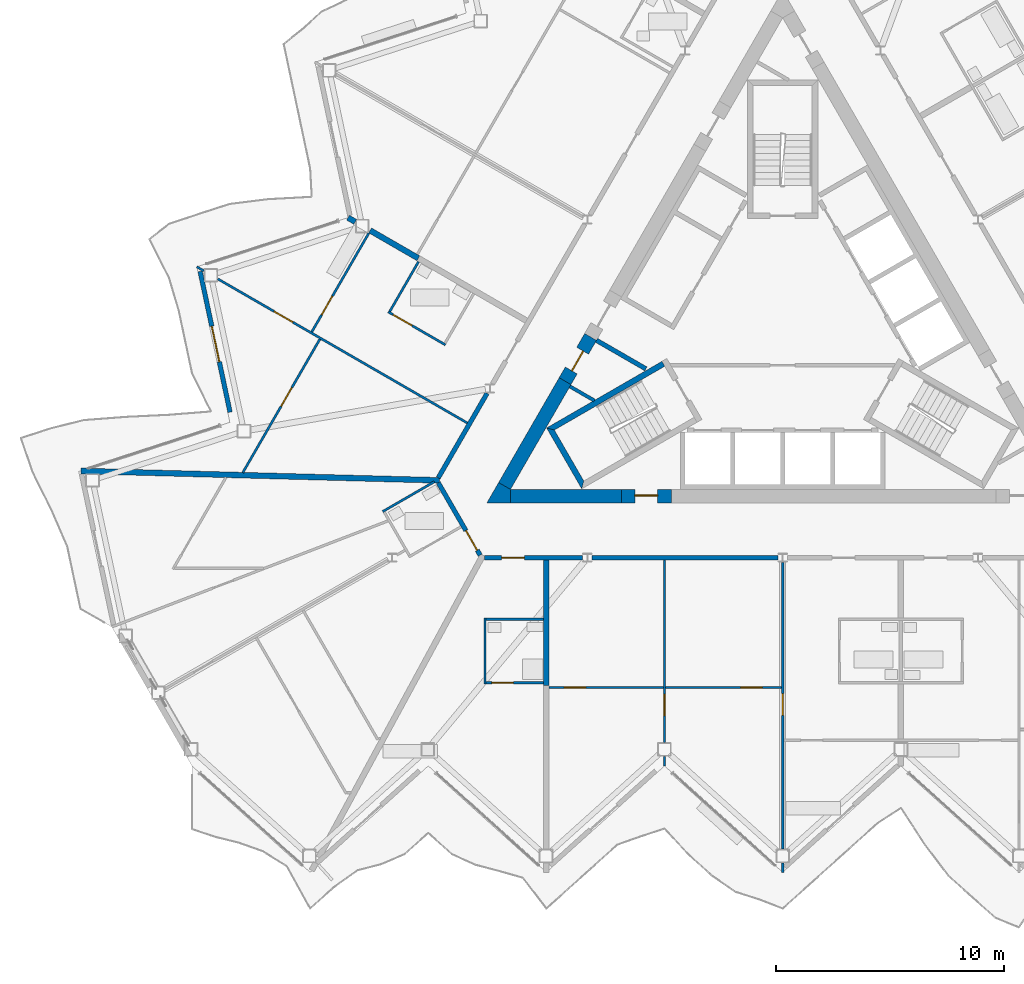
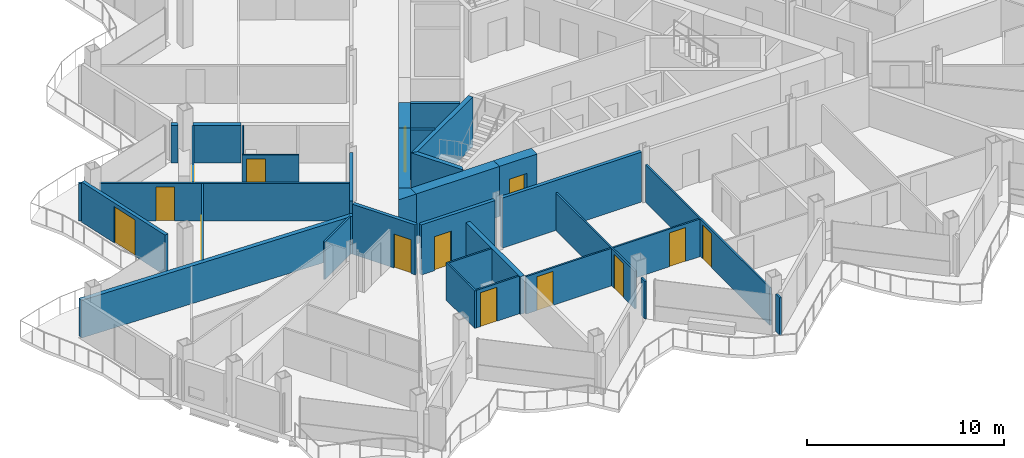
# One storey, part 14 of 28: 33 walls, 14 doors, 14 openings.
"""IFC4 building model written with IfcOpenShell, lengths in metres."""

import ifcopenshell
import ifcopenshell.guid

model = None  # the IFC model being written
_history = None  # IfcOwnerHistory: only IFC2X3 demands one
_inside = {}  # id of a spatial element -> (the spatial element, [elements in it])
_under = {}  # id of a project, library or spatial element -> (it, [spatial elements below it])
_declared = {}  # id of a project -> (the project, [libraries it declares])
_typed = {}  # id of a type object -> (the type object, [elements of that type])
_made_of = {}  # id of a material, layer set ... -> (it, [elements and type objects made of it])


def new_model(schema):
    """Start an empty IFC model of exactly this schema.

    Asked for "IFC4X3", IfcOpenShell would pick the latest addendum, in which some entities
    have other attributes; the version numbers below select the first issue.
    IFC2X3 requires an IfcOwnerHistory on every rooted entity: one is made here for all.
    """
    global model, _history
    if schema == "IFC4X3":
        model = ifcopenshell.file(schema_version=(4, 3, 0, 0))
    else:
        model = ifcopenshell.file(schema=schema)
    _inside.clear()
    _under.clear()
    _declared.clear()
    _typed.clear()
    _made_of.clear()
    _history = None
    if model.schema == "IFC2X3":
        org = make("IfcOrganization", Name="unknown")
        user = make(
            "IfcPersonAndOrganization",
            ThePerson=make("IfcPerson", FamilyName="unknown"),
            TheOrganization=org,
        )
        app = make(
            "IfcApplication",
            ApplicationDeveloper=org,
            Version="unknown",
            ApplicationFullName="unknown",
            ApplicationIdentifier="unknown",
        )
        _history = make(
            "IfcOwnerHistory",
            OwningUser=user,
            OwningApplication=app,
            ChangeAction="ADDED",
            CreationDate=0,
        )
    return model


def make(cls, **values):
    """One entity of the class cls with the attributes given. An attribute that is None is left unset."""
    return model.create_entity(
        cls, **{name: value for name, value in values.items() if value is not None}
    )


def rooted(cls, **values):
    """An entity with a GlobalId (a new one), such as an element, a storey or a relation."""
    return make(cls, GlobalId=ifcopenshell.guid.new(), OwnerHistory=_history, **values)


def si_unit(unit_type, name, prefix=None):
    """IfcSIUnit, for example si_unit("LENGTHUNIT", "METRE", prefix="MILLI")."""
    return make("IfcSIUnit", UnitType=unit_type, Prefix=prefix, Name=name)


def assignment(units):
    """IfcUnitAssignment: the units of a project."""
    return None if units is None else make("IfcUnitAssignment", Units=units)


def point(xyz):
    """IfcCartesianPoint."""
    return None if xyz is None else make("IfcCartesianPoint", Coordinates=xyz)


def direction(xyz):
    """IfcDirection."""
    return None if xyz is None else make("IfcDirection", DirectionRatios=xyz)


def frame(location, z_axis=None, x_axis=None):
    """IfcAxis2Placement3D, a coordinate frame: its origin and axes. An axis left out is left unset."""
    return make(
        "IfcAxis2Placement3D",
        Location=point(location),
        Axis=direction(z_axis),
        RefDirection=direction(x_axis),
    )


def frame_2d(location, x_axis=None):
    """IfcAxis2Placement2D, a coordinate frame in the plane: its origin and x axis."""
    return make(
        "IfcAxis2Placement2D", Location=point(location), RefDirection=direction(x_axis)
    )


def origin():
    """The frame at (0, 0, 0) with its axes left unset."""
    return frame((0.0, 0.0, 0.0))


def place(relative_to, where):
    """IfcLocalPlacement: puts the frame where relative to a parent placement (None: the world)."""
    return make(
        "IfcLocalPlacement", PlacementRelTo=relative_to, RelativePlacement=where
    )


def context(
    kind, dimensions, precision=None, world=None, true_north=None, identifier=None
):
    """IfcGeometricRepresentationContext, for example the 3D "Model" context."""
    return make(
        "IfcGeometricRepresentationContext",
        ContextIdentifier=identifier,
        ContextType=kind,
        CoordinateSpaceDimension=dimensions,
        Precision=precision,
        WorldCoordinateSystem=world,
        TrueNorth=true_north,
    )


def subcontext(parent, identifier, kind, view, scale=None):
    """IfcGeometricRepresentationSubContext, for example "Body" below "Model"."""
    return make(
        "IfcGeometricRepresentationSubContext",
        ContextIdentifier=identifier,
        ContextType=kind,
        ParentContext=parent,
        TargetScale=scale,
        TargetView=view,
    )


def project(units=None, contexts=None):
    """IfcProject with its units and contexts."""
    return rooted(
        "IfcProject",
        Name="project",
        RepresentationContexts=contexts,
        UnitsInContext=assignment(units),
    )


def spatial(cls, under=None, at=None, **own):
    """A site, building, storey or space (cls), placed at a placement, below another one or the project."""
    s = rooted(cls, ObjectPlacement=at, **own)
    if under is not None:
        _under.setdefault(under.id(), (under, []))[1].append(s)
    return s


def polyline(points):
    """IfcPolyline through the points."""
    return make("IfcPolyline", Points=[point(p) for p in points])


def profile(cls, at=None, kind="AREA", **sizes):
    """A parametric profile (cls). Its sizes go by their IFC names, for example OverallWidth=200.0."""
    return make(cls, ProfileType=kind, Position=at, **sizes)


def rectangle(**sizes):
    """IfcRectangleProfileDef."""
    return profile("IfcRectangleProfileDef", **sizes)


def outline(outer, holes=None, kind="AREA"):
    """IfcArbitraryClosedProfileDef: a profile drawn as a closed curve; with holes, ...WithVoids."""
    if holes is None:
        return make("IfcArbitraryClosedProfileDef", ProfileType=kind, OuterCurve=outer)
    return make(
        "IfcArbitraryProfileDefWithVoids",
        ProfileType=kind,
        OuterCurve=outer,
        InnerCurves=holes,
    )


def extrude(swept, where, along, depth):
    """IfcExtrudedAreaSolid: the profile swept, set in the frame where, extruded along a direction by depth."""
    return make(
        "IfcExtrudedAreaSolid",
        SweptArea=swept,
        Position=where,
        ExtrudedDirection=direction(along),
        Depth=depth,
    )


def shape(context_of_items, identifier, shape_type, items):
    """IfcShapeRepresentation: the items that make up one representation, for example the "Body"."""
    return make(
        "IfcShapeRepresentation",
        ContextOfItems=context_of_items,
        RepresentationIdentifier=identifier,
        RepresentationType=shape_type,
        Items=items,
    )


def material(Name=None, Category=None):
    """IfcMaterial."""
    return make("IfcMaterial", Name=Name, Category=Category)


def layer(
    of_material, thickness, ventilated=None, Name=None, Category=None, Priority=None
):
    """IfcMaterialLayer: one layer of a wall or slab, of a material (None: an air gap)."""
    return make(
        "IfcMaterialLayer",
        Material=of_material,
        LayerThickness=thickness,
        IsVentilated=ventilated,
        Name=Name,
        Category=Category,
        Priority=Priority,
    )


def layer_set(layers, Name=None):
    """IfcMaterialLayerSet."""
    return make("IfcMaterialLayerSet", MaterialLayers=layers, LayerSetName=Name)


def made_of(thing, what):
    """Note that an element or type object is made of a material, layer set ...; save() writes the relation."""
    if what is not None:
        _made_of.setdefault(what.id(), (what, []))[1].append(thing)
    return thing


def type_object(cls, material=None, **own):
    """A type object (cls), such as IfcWallType, which elements share."""
    return made_of(rooted(cls, **own), material)


def element(
    cls,
    number,
    at=None,
    inside=None,
    cuts=None,
    type_object=None,
    material=None,
    context=None,
    identifier="Body",
    shape_type=None,
    held_by="IfcProductDefinitionShape",
    body=None,
    shapes=None,
    **own,
):
    """One element of the class cls, such as IfcWall. Its Tag is "e" and its number.

    at: its placement. inside: the storey or other place that contains it. cuts: it is an
    opening in that element (IfcRelVoidsElement). A single representation is given by context,
    identifier, shape_type and body (its items); several are given by shapes. held_by: the class
    of the entity that holds the representations. save() writes the other relations.
    """
    e = rooted(cls, Tag="e%d" % number, ObjectPlacement=at, **own)
    if body is not None:
        shapes = [shape(context, identifier, shape_type, body)]
    if shapes is not None:
        e.Representation = make(held_by, Representations=shapes)
    if inside is not None:
        _inside.setdefault(inside.id(), (inside, []))[1].append(e)
    if cuts is not None:
        rooted(
            "IfcRelVoidsElement", RelatingBuildingElement=cuts, RelatedOpeningElement=e
        )
    if type_object is not None:
        _typed.setdefault(type_object.id(), (type_object, []))[1].append(e)
    return made_of(e, material)


def fill(opening, filler):
    """IfcRelFillsElement: the door or window that sits in an opening."""
    return rooted(
        "IfcRelFillsElement",
        RelatingOpeningElement=opening,
        RelatedBuildingElement=filler,
    )


def aggregate(whole, parts):
    """IfcRelAggregates: a whole, such as a stair, and the parts it consists of."""
    return rooted("IfcRelAggregates", RelatingObject=whole, RelatedObjects=parts)


def save(model, path):
    """Write the relations noted so far, then the file.

    IfcRelAggregates (storeys below a building ...), IfcRelContainedInSpatialStructure (elements
    in a storey), IfcRelDefinesByType, IfcRelAssociatesMaterial and IfcRelDeclares: one each for
    every whole, place, type object, material and project.
    """
    for whole, parts in _under.values():
        aggregate(whole, parts)
    for where, things in _inside.values():
        rooted(
            "IfcRelContainedInSpatialStructure",
            RelatedElements=things,
            RelatingStructure=where,
        )
    for kind, things in _typed.values():
        rooted("IfcRelDefinesByType", RelatedObjects=things, RelatingType=kind)
    for what, things in _made_of.values():
        rooted("IfcRelAssociatesMaterial", RelatedObjects=things, RelatingMaterial=what)
    for by, libraries in _declared.values():
        rooted("IfcRelDeclares", RelatingContext=by, RelatedDefinitions=libraries)
    model.write(path)


model = new_model("IFC4")

# Units and contexts
model_context = context("Model", 3, precision=1e-05, world=origin(), true_north=direction((0.0, 1.0)))
body_context = subcontext(model_context, "Body", "Model", "MODEL_VIEW")
ifc_project = project(units=[si_unit("LENGTHUNIT", "METRE"), si_unit("AREAUNIT", "SQUARE_METRE"), si_unit("VOLUMEUNIT", "CUBIC_METRE"), si_unit("PLANEANGLEUNIT", "RADIAN"), si_unit("MASSUNIT", "GRAM", prefix="KILO")], contexts=[model_context])

# Site, building, storey
site_placement = place(None, origin())
site = spatial("IfcSite", under=ifc_project, at=site_placement, CompositionType="ELEMENT")
building_placement = place(site_placement, origin())
building = spatial("IfcBuilding", under=site, at=building_placement, Name="Cormorant Prow Tower", CompositionType="ELEMENT")
storey_placement = place(building_placement, frame((0.0, 0.0, 305.199951171875)))
storey = spatial("IfcBuildingStorey", under=building, at=storey_placement, Name="L66", CompositionType="ELEMENT", Elevation=305.199951171875)

# Walls
ifc_material_1 = material(Name="Gypsum board partition")
ifc_layer_1 = layer(ifc_material_1, 0.14990234375)
ifc_layer_set_1 = layer_set([ifc_layer_1], Name="Gypsum board partition")
wall_type_1 = type_object("IfcWallType", Name="Core partition 150", PredefinedType="PARTITIONING", material=ifc_layer_set_1)
wall_1_placement = place(storey_placement, frame((-9.349609375, -2.3828125, 0.0), z_axis=(0.0, 0.0, 1.0), x_axis=(0.866057962423, -0.499943602543, 0.0)))
element("IfcWall", 1, at=wall_1_placement, inside=storey, type_object=wall_type_1, Name="Service room partition", PredefinedType="PARTITIONING", context=body_context, shape_type="SweptSolid", body=[
    extrude(rectangle(XDim=1.242431640625, YDim=0.14990234375, at=frame_2d((0.62109375, 0.0))), origin(), (0.0, 0.0, 1.0), 3.10009765625),
])
ifc_material_2 = material(Name="Concrete 8000 psi", Category="concrete")
ifc_layer_2 = layer(ifc_material_2, 0.60009765625)
ifc_layer_set_2 = layer_set([ifc_layer_2], Name="Concrete 8000 psi")
wall_type_2 = type_object("IfcWallType", Name="Core shear wall 600", PredefinedType="SHEAR", material=ifc_layer_set_2)
wall_2_placement = place(storey_placement, frame((-11.960693359375, -7.20556640625, 0.0), z_axis=(0.0, 0.0, 1.0), x_axis=(1.0, 0.0, 0.0)))
element("IfcWall", 2, at=wall_2_placement, inside=storey, type_object=wall_type_2, Name="Core wall", PredefinedType="SHEAR", context=body_context, shape_type="SweptSolid", body=[
    extrude(rectangle(XDim=4.868408203125, YDim=0.60009765625, at=frame_2d((2.43408203125, 0.0))), origin(), (0.0, 0.0, 1.0), 3.10009765625),
])
wall_3_placement = place(storey_placement, frame((-9.561767578125, -2.150390625, 0.0), z_axis=(0.0, 0.0, 1.0), x_axis=(-0.500015214976, -0.866016619236, 0.0)))
element("IfcWall", 3, at=wall_3_placement, inside=storey, type_object=wall_type_2, Name="Core wall", PredefinedType="SHEAR", context=body_context, shape_type="SweptSolid", body=[
    extrude(rectangle(XDim=5.317626953125, YDim=0.60009765625, at=frame_2d((2.65869140625, 0.0))), origin(), (0.0, 0.0, 1.0), 3.10009765625),
])
wall_4_placement = place(storey_placement, origin())
element("IfcWall", 4, at=wall_4_placement, inside=storey, type_object=wall_type_2, Name="Core wall corner", PredefinedType="SHEAR", context=body_context, shape_type="SweptSolid", body=[
    extrude(outline(polyline([(-12.48046875, -6.605712890625), (-11.960693359375, -6.905517578125), (-11.960693359375, -7.505615234375), (-13.0, -7.505615234375), (-12.48046875, -6.605712890625)])), origin(), (0.0, 0.0, 1.0), 3.10009765625),
])

# Wall, opening, door
wall_5_placement = place(storey_placement, frame((-7.09228515625, -7.20556640625, 0.0), z_axis=(0.0, 0.0, 1.0), x_axis=(1.0, 0.0, 0.0)))
wall_5 = element("IfcWall", 5, at=wall_5_placement, inside=storey, type_object=wall_type_2, Name="Core wall door panel", PredefinedType="SHEAR", context=body_context, shape_type="SweptSolid", body=[
    extrude(rectangle(XDim=2.2001953125, YDim=0.60009765625, at=frame_2d((1.10009765625, 0.0))), origin(), (0.0, 0.0, 1.0), 3.10009765625),
])
opening_1_placement = place(wall_5_placement, frame((0.60009765625, 0.0, 0.0)))
opening_1 = element("IfcOpeningElement", 6, at=opening_1_placement, cuts=wall_5, Name="Opening L66-C16", PredefinedType="OPENING", context=body_context, shape_type="SweptSolid", body=[
    extrude(rectangle(XDim=1.0, YDim=2.10009765625, at=frame_2d((0.5, 1.050048828125))), frame((0.0, 0.31005859375, 0.0), z_axis=(0.0, -1.0, 0.0), x_axis=(1.0, 0.0, 0.0)), (0.0, 0.0, 1.0), 0.6201171875),
])
ifc_material_3 = material(Name="Painted steel", Category="steel")
door_type_1 = type_object("IfcDoorType", Name="Service door 1000x2100", OperationType="NOTDEFINED", PredefinedType="DOOR", material=ifc_material_3)
door_1_placement = place(opening_1_placement, origin())
door_1 = element("IfcDoor", 7, at=door_1_placement, inside=storey, type_object=door_type_1, Name="Core door, Pantry store", OperationType="SINGLE_SWING_LEFT", OverallHeight=2.10009765625, OverallWidth=1.0, PredefinedType="DOOR", context=body_context, shape_type="SweptSolid", body=[
    extrude(rectangle(XDim=1.0, YDim=2.10009765625, at=frame_2d((0.5, 1.050048828125))), frame((0.0, 0.05517578125, 0.0), z_axis=(0.0, -1.0, 0.0), x_axis=(1.0, 0.0, 0.0)), (0.0, 0.0, 1.0), 0.050048828125),
])
fill(opening_1, door_1)

wall_6_placement = place(storey_placement, frame((-8.440185546875, -0.207763671875, 0.0), z_axis=(0.0, 0.0, 1.0), x_axis=(-0.500001951578, -0.866024277037, 0.0)))
wall_6 = element("IfcWall", 8, at=wall_6_placement, inside=storey, type_object=wall_type_2, Name="Core wall door panel", PredefinedType="SHEAR", context=body_context, shape_type="SweptSolid", body=[
    extrude(rectangle(XDim=2.2431640625, YDim=0.60009765625, at=frame_2d((1.12158203125, 0.0))), origin(), (0.0, 0.0, 1.0), 3.10009765625),
])
opening_2_placement = place(wall_6_placement, frame((0.699951171875, 0.0, 0.0)))
opening_2 = element("IfcOpeningElement", 9, at=opening_2_placement, cuts=wall_6, Name="Opening L66-C18", PredefinedType="OPENING", context=body_context, shape_type="SweptSolid", body=[
    extrude(rectangle(XDim=1.0, YDim=2.10009765625, at=frame_2d((0.5, 1.050048828125))), frame((0.0, 0.31005859375, 0.0), z_axis=(0.0, -1.0, 0.0), x_axis=(1.0, 0.0, 0.0)), (0.0, 0.0, 1.0), 0.6201171875),
])
door_2_placement = place(opening_2_placement, origin())
door_2 = element("IfcDoor", 10, at=door_2_placement, inside=storey, type_object=door_type_1, Name="Core door, Mechanical riser room", OperationType="SINGLE_SWING_LEFT", OverallHeight=2.10009765625, OverallWidth=1.0, PredefinedType="DOOR", context=body_context, shape_type="SweptSolid", body=[
    extrude(rectangle(XDim=1.0, YDim=2.10009765625, at=frame_2d((0.5, 1.050048828125))), frame((0.0, 0.05517578125, 0.0), z_axis=(0.0, -1.0, 0.0), x_axis=(1.0, 0.0, 0.0)), (0.0, 0.0, 1.0), 0.050048828125),
])
fill(opening_2, door_2)

# Wall
ifc_material_4 = material(Name="Gypsum board corridor wall")
ifc_layer_3 = layer(ifc_material_4, 0.199951171875)
ifc_layer_set_3 = layer_set([ifc_layer_3], Name="Gypsum board corridor wall")
wall_type_3 = type_object("IfcWallType", Name="Corridor wall 200", PredefinedType="PARTITIONING", material=ifc_layer_set_3)
wall_7_placement = place(storey_placement, frame((-8.370849609375, -9.905517578125, 0.0), z_axis=(0.0, 0.0, 1.0), x_axis=(1.0, 0.0, 0.0)))
element("IfcWall", 11, at=wall_7_placement, inside=storey, type_object=wall_type_3, Name="Corridor wall", PredefinedType="PARTITIONING", context=body_context, shape_type="SweptSolid", body=[
    extrude(rectangle(XDim=8.1630859375, YDim=0.199951171875, at=frame_2d((4.08154296875, 0.0))), origin(), (0.0, 0.0, 1.0), 3.10009765625),
])

# Wall, opening, door
wall_8_placement = place(storey_placement, frame((-13.10595703125, -9.905517578125, 0.0), z_axis=(0.0, 0.0, 1.0), x_axis=(1.0, 0.0, 0.0)))
wall_8 = element("IfcWall", 12, at=wall_8_placement, inside=storey, type_object=wall_type_3, Name="Corridor wall", PredefinedType="PARTITIONING", context=body_context, shape_type="SweptSolid", body=[
    extrude(rectangle(XDim=4.31982421875, YDim=0.199951171875, at=frame_2d((2.159912109375, 0.0))), origin(), (0.0, 0.0, 1.0), 3.10009765625),
])
opening_3_placement = place(wall_8_placement, frame((0.75341796875, 0.0, 0.0)))
opening_3 = element("IfcOpeningElement", 13, at=opening_3_placement, cuts=wall_8, Name="Opening L66-F01", PredefinedType="OPENING", context=body_context, shape_type="SweptSolid", body=[
    extrude(rectangle(XDim=1.0, YDim=2.10009765625, at=frame_2d((0.5, 1.050048828125))), frame((0.0, 0.10986328125, 0.0), z_axis=(0.0, -1.0, 0.0), x_axis=(1.0, 0.0, 0.0)), (0.0, 0.0, 1.0), 0.219970703125),
])
ifc_material_5 = material(Name="Timber door leaf", Category="wood")
door_type_2 = type_object("IfcDoorType", Name="Flat or room entrance door 1000x2100", OperationType="NOTDEFINED", PredefinedType="DOOR", material=ifc_material_5)
door_3_placement = place(opening_3_placement, origin())
door_3 = element("IfcDoor", 14, at=door_3_placement, inside=storey, type_object=door_type_2, Name="Studio living, kitchen and sleeping room door", OperationType="SINGLE_SWING_LEFT", OverallHeight=2.10009765625, OverallWidth=1.0, PredefinedType="DOOR", context=body_context, shape_type="SweptSolid", body=[
    extrude(rectangle(XDim=1.0, YDim=2.10009765625, at=frame_2d((0.5, 1.050048828125))), frame((0.0, 0.02490234375, 0.0), z_axis=(0.0, -1.0, 0.0), x_axis=(1.0, 0.0, 0.0)), (0.0, 0.0, 1.0), 0.050048828125),
])
fill(opening_3, door_3)

# Wall
wall_9_placement = place(storey_placement, frame((-15.13134765625, -6.397216796875, 0.0), z_axis=(0.0, 0.0, 1.0), x_axis=(0.500003406062, 0.866023437285, 0.0)))
element("IfcWall", 15, at=wall_9_placement, inside=storey, type_object=wall_type_3, Name="Corridor wall", PredefinedType="PARTITIONING", context=body_context, shape_type="SweptSolid", body=[
    extrude(rectangle(XDim=4.28759765625, YDim=0.199951171875, at=frame_2d((2.143798828125, 0.0))), origin(), (0.0, 0.0, 1.0), 3.10009765625),
])

# Wall, opening, door
wall_10_placement = place(storey_placement, frame((-15.13134765625, -6.61376953125, 0.0), z_axis=(0.0, 0.0, 1.0), x_axis=(0.499967746641, -0.866044024469, 0.0)))
wall_10 = element("IfcWall", 16, at=wall_10_placement, inside=storey, type_object=wall_type_3, Name="Corridor wall", PredefinedType="PARTITIONING", context=body_context, shape_type="SweptSolid", body=[
    extrude(rectangle(XDim=3.676025390625, YDim=0.199951171875, at=frame_2d((1.837890625, 0.0))), origin(), (0.0, 0.0, 1.0), 3.10009765625),
])
opening_4_placement = place(wall_10_placement, frame((2.426025390625, 0.0, 0.0)))
opening_4 = element("IfcOpeningElement", 17, at=opening_4_placement, cuts=wall_10, Name="Opening L66-F51", PredefinedType="OPENING", context=body_context, shape_type="SweptSolid", body=[
    extrude(rectangle(XDim=1.0, YDim=2.10009765625, at=frame_2d((0.5, 1.050048828125))), frame((0.0, 0.10986328125, 0.0), z_axis=(0.0, -1.0, 0.0), x_axis=(1.0, 0.0, 0.0)), (0.0, 0.0, 1.0), 0.219970703125),
])
door_4_placement = place(opening_4_placement, origin())
door_4 = element("IfcDoor", 18, at=door_4_placement, inside=storey, type_object=door_type_2, Name="Living room door", OperationType="SINGLE_SWING_RIGHT", OverallHeight=2.10009765625, OverallWidth=1.0, PredefinedType="DOOR", context=body_context, shape_type="SweptSolid", body=[
    extrude(rectangle(XDim=1.0, YDim=2.10009765625, at=frame_2d((0.5, 1.050048828125))), frame((0.0, 0.02490234375, 0.0), z_axis=(0.0, -1.0, 0.0), x_axis=(1.0, 0.0, 0.0)), (0.0, 0.0, 1.0), 0.050048828125),
])
fill(opening_4, door_4)

ifc_material_6 = material(Name="Gypsum board partition")
ifc_layer_4 = layer(ifc_material_6, 0.10009765625)
ifc_layer_set_4 = layer_set([ifc_layer_4], Name="Gypsum board partition")
wall_type_4 = type_object("IfcWallType", Name="Internal partition 100", PredefinedType="PARTITIONING", material=ifc_layer_set_4)
wall_11_placement = place(storey_placement, frame((-24.814697265625, 2.3388671875, 0.0), z_axis=(0.0, 0.0, 1.0), x_axis=(0.866021406514, -0.500006923412, 0.0)))
wall_11 = element("IfcWall", 19, at=wall_11_placement, inside=storey, type_object=wall_type_4, Name="Internal partition", PredefinedType="PARTITIONING", context=body_context, shape_type="SweptSolid", body=[
    extrude(rectangle(XDim=12.654052734375, YDim=0.10009765625, at=frame_2d((6.3271484375, 0.0))), origin(), (0.0, 0.0, 1.0), 2.330078125),
])
opening_5_placement = place(wall_11_placement, frame((2.850830078125, 0.0, 0.0)))
opening_5 = element("IfcOpeningElement", 20, at=opening_5_placement, cuts=wall_11, Name="Opening L66-F49", PredefinedType="OPENING", context=body_context, shape_type="SweptSolid", body=[
    extrude(rectangle(XDim=0.949951171875, YDim=2.10009765625, at=frame_2d((0.47509765625, 1.050048828125))), frame((0.0, 0.06005859375, 0.0), z_axis=(0.0, -1.0, 0.0), x_axis=(1.0, 0.0, 0.0)), (0.0, 0.0, 1.0), 0.1201171875),
])
ifc_material_7 = material(Name="Timber door leaf", Category="wood")
door_type_3 = type_object("IfcDoorType", Name="Bathroom door 950x2100", OperationType="NOTDEFINED", PredefinedType="DOOR", material=ifc_material_7)
door_5_placement = place(opening_5_placement, origin())
door_5 = element("IfcDoor", 21, at=door_5_placement, inside=storey, type_object=door_type_3, Name="Kitchen door", OperationType="SINGLE_SWING_RIGHT", OverallHeight=2.10009765625, OverallWidth=0.949951171875, PredefinedType="DOOR", context=body_context, shape_type="SweptSolid", body=[
    extrude(rectangle(XDim=0.949951171875, YDim=2.10009765625, at=frame_2d((0.47509765625, 1.050048828125))), frame((0.0, 0.02490234375, 0.0), z_axis=(0.0, -1.0, 0.0), x_axis=(1.0, 0.0, 0.0)), (0.0, 0.0, 1.0), 0.050048828125),
])
fill(opening_5, door_5)

wall_12_placement = place(storey_placement, frame((0.0, -22.697998046875, 0.0), z_axis=(0.0, 0.0, 1.0), x_axis=(0.0, 1.0, 0.0)))
wall_12 = element("IfcWall", 22, at=wall_12_placement, inside=storey, type_object=wall_type_4, Name="Internal partition", PredefinedType="PARTITIONING", context=body_context, shape_type="SweptSolid", body=[
    extrude(rectangle(XDim=12.584716796875, YDim=0.10009765625, at=frame_2d((6.29248046875, 0.0))), origin(), (0.0, 0.0, 1.0), 2.330078125),
])
opening_6_placement = place(wall_12_placement, frame((5.86767578125, 0.0, 0.0)))
opening_6 = element("IfcOpeningElement", 23, at=opening_6_placement, cuts=wall_12, Name="Opening L66-F06", PredefinedType="OPENING", context=body_context, shape_type="SweptSolid", body=[
    extrude(rectangle(XDim=0.949951171875, YDim=2.10009765625, at=frame_2d((0.47509765625, 1.050048828125))), frame((0.0, 0.06005859375, 0.0), z_axis=(0.0, -1.0, 0.0), x_axis=(1.0, 0.0, 0.0)), (0.0, 0.0, 1.0), 0.1201171875),
])
door_6_placement = place(opening_6_placement, origin())
door_6 = element("IfcDoor", 24, at=door_6_placement, inside=storey, type_object=door_type_3, Name="Living room door", OperationType="SINGLE_SWING_RIGHT", OverallHeight=2.10009765625, OverallWidth=0.949951171875, PredefinedType="DOOR", context=body_context, shape_type="SweptSolid", body=[
    extrude(rectangle(XDim=0.949951171875, YDim=2.10009765625, at=frame_2d((0.47509765625, 1.050048828125))), frame((0.0, 0.02490234375, 0.0), z_axis=(0.0, -1.0, 0.0), x_axis=(1.0, 0.0, 0.0)), (0.0, 0.0, 1.0), 0.050048828125),
])
fill(opening_6, door_6)

# Wall, openings, doors
wall_13_placement = place(storey_placement, frame((-10.2568359375, -15.612548828125, 0.0), z_axis=(0.0, 0.0, 1.0), x_axis=(1.0, 0.0, 0.0)))
wall_13 = element("IfcWall", 25, at=wall_13_placement, inside=storey, type_object=wall_type_4, Name="Internal partition", PredefinedType="PARTITIONING", context=body_context, shape_type="SweptSolid", body=[
    extrude(rectangle(XDim=10.206787109375, YDim=0.10009765625, at=frame_2d((5.103515625, 0.0))), origin(), (0.0, 0.0, 1.0), 2.330078125),
])
opening_7_placement = place(wall_13_placement, frame((8.403076171875, 0.0, 0.0)))
opening_7 = element("IfcOpeningElement", 26, at=opening_7_placement, cuts=wall_13, Name="Opening L66-F07", PredefinedType="OPENING", context=body_context, shape_type="SweptSolid", body=[
    extrude(rectangle(XDim=0.949951171875, YDim=2.10009765625, at=frame_2d((0.47509765625, 1.050048828125))), frame((0.0, 0.06005859375, 0.0), z_axis=(0.0, -1.0, 0.0), x_axis=(1.0, 0.0, 0.0)), (0.0, 0.0, 1.0), 0.1201171875),
])
opening_8_placement = place(wall_13_placement, frame((0.652587890625, 0.0, 0.0)))
opening_8 = element("IfcOpeningElement", 27, at=opening_8_placement, cuts=wall_13, Name="Opening L66-F09", PredefinedType="OPENING", context=body_context, shape_type="SweptSolid", body=[
    extrude(rectangle(XDim=0.949951171875, YDim=2.10009765625, at=frame_2d((0.47509765625, 1.050048828125))), frame((0.0, 0.06005859375, 0.0), z_axis=(0.0, -1.0, 0.0), x_axis=(1.0, 0.0, 0.0)), (0.0, 0.0, 1.0), 0.1201171875),
])
door_7_placement = place(opening_7_placement, origin())
door_7 = element("IfcDoor", 28, at=door_7_placement, inside=storey, type_object=door_type_3, Name="Bedroom door", OperationType="SINGLE_SWING_RIGHT", OverallHeight=2.10009765625, OverallWidth=0.949951171875, PredefinedType="DOOR", context=body_context, shape_type="SweptSolid", body=[
    extrude(rectangle(XDim=0.949951171875, YDim=2.10009765625, at=frame_2d((0.47509765625, 1.050048828125))), frame((0.0, 0.02490234375, 0.0), z_axis=(0.0, -1.0, 0.0), x_axis=(1.0, 0.0, 0.0)), (0.0, 0.0, 1.0), 0.050048828125),
])
fill(opening_7, door_7)
door_8_placement = place(opening_8_placement, origin())
door_8 = element("IfcDoor", 29, at=door_8_placement, inside=storey, type_object=door_type_3, Name="Bedroom door", OperationType="SINGLE_SWING_LEFT", OverallHeight=2.10009765625, OverallWidth=0.949951171875, PredefinedType="DOOR", context=body_context, shape_type="SweptSolid", body=[
    extrude(rectangle(XDim=0.949951171875, YDim=2.10009765625, at=frame_2d((0.47509765625, 1.050048828125))), frame((0.0, 0.02490234375, 0.0), z_axis=(0.0, -1.0, 0.0), x_axis=(1.0, 0.0, 0.0)), (0.0, 0.0, 1.0), 0.050048828125),
])
fill(opening_8, door_8)

# Wall, opening, door
wall_14_placement = place(storey_placement, frame((-5.19091796875, -18.016845703125, 0.0), z_axis=(0.0, 0.0, 1.0), x_axis=(0.0, 1.0, 0.0)))
wall_14 = element("IfcWall", 30, at=wall_14_placement, inside=storey, type_object=wall_type_4, Name="Internal partition", PredefinedType="PARTITIONING", context=body_context, shape_type="SweptSolid", body=[
    extrude(rectangle(XDim=8.01123046875, YDim=0.10009765625, at=frame_2d((4.005615234375, 0.0))), origin(), (0.0, 0.0, 1.0), 2.330078125),
])
opening_9_placement = place(wall_14_placement, frame((1.158447265625, 0.0, 0.0)))
opening_9 = element("IfcOpeningElement", 31, at=opening_9_placement, cuts=wall_14, Name="Opening L66-F08", PredefinedType="OPENING", context=body_context, shape_type="SweptSolid", body=[
    extrude(rectangle(XDim=0.949951171875, YDim=2.10009765625, at=frame_2d((0.47509765625, 1.050048828125))), frame((0.0, 0.06005859375, 0.0), z_axis=(0.0, -1.0, 0.0), x_axis=(1.0, 0.0, 0.0)), (0.0, 0.0, 1.0), 0.1201171875),
])
door_9_placement = place(opening_9_placement, origin())
door_9 = element("IfcDoor", 32, at=door_9_placement, inside=storey, type_object=door_type_3, Name="Bedroom door", OperationType="SINGLE_SWING_RIGHT", OverallHeight=2.10009765625, OverallWidth=0.949951171875, PredefinedType="DOOR", context=body_context, shape_type="SweptSolid", body=[
    extrude(rectangle(XDim=0.949951171875, YDim=2.10009765625, at=frame_2d((0.47509765625, 1.050048828125))), frame((0.0, 0.02490234375, 0.0), z_axis=(0.0, -1.0, 0.0), x_axis=(1.0, 0.0, 0.0)), (0.0, 0.0, 1.0), 0.050048828125),
])
fill(opening_9, door_9)

wall_15_placement = place(storey_placement, frame((-23.721923828125, -6.17236328125, 0.0), z_axis=(0.0, 0.0, 1.0), x_axis=(0.499991774685, 0.86603015262, 0.0)))
wall_15 = element("IfcWall", 33, at=wall_15_placement, inside=storey, type_object=wall_type_4, Name="Internal partition", PredefinedType="PARTITIONING", context=body_context, shape_type="SweptSolid", body=[
    extrude(rectangle(XDim=6.7744140625, YDim=0.10009765625, at=frame_2d((3.38720703125, 0.0))), origin(), (0.0, 0.0, 1.0), 2.330078125),
])
opening_10_placement = place(wall_15_placement, frame((3.3642578125, 0.0, 0.0)))
opening_10 = element("IfcOpeningElement", 34, at=opening_10_placement, cuts=wall_15, Name="Opening L66-F50", PredefinedType="OPENING", context=body_context, shape_type="SweptSolid", body=[
    extrude(rectangle(XDim=0.949951171875, YDim=2.10009765625, at=frame_2d((0.47509765625, 1.050048828125))), frame((0.0, 0.06005859375, 0.0), z_axis=(0.0, -1.0, 0.0), x_axis=(1.0, 0.0, 0.0)), (0.0, 0.0, 1.0), 0.1201171875),
])
door_10_placement = place(opening_10_placement, origin())
door_10 = element("IfcDoor", 35, at=door_10_placement, inside=storey, type_object=door_type_3, Name="Bedroom door", OperationType="SINGLE_SWING_RIGHT", OverallHeight=2.10009765625, OverallWidth=0.949951171875, PredefinedType="DOOR", context=body_context, shape_type="SweptSolid", body=[
    extrude(rectangle(XDim=0.949951171875, YDim=2.10009765625, at=frame_2d((0.47509765625, 1.050048828125))), frame((0.0, 0.02490234375, 0.0), z_axis=(0.0, -1.0, 0.0), x_axis=(1.0, 0.0, 0.0)), (0.0, 0.0, 1.0), 0.050048828125),
])
fill(opening_10, door_10)

wall_16_placement = place(storey_placement, frame((-20.68896484375, 0.014404296875, 0.0), z_axis=(0.0, 0.0, 1.0), x_axis=(0.500003822013, 0.866023197133, 0.0)))
wall_16 = element("IfcWall", 36, at=wall_16_placement, inside=storey, type_object=wall_type_4, Name="Internal partition", PredefinedType="PARTITIONING", context=body_context, shape_type="SweptSolid", body=[
    extrude(rectangle(XDim=5.00732421875, YDim=0.10009765625, at=frame_2d((2.503662109375, 0.0))), origin(), (0.0, 0.0, 1.0), 2.330078125),
])
opening_11_placement = place(wall_16_placement, frame((0.85986328125, 0.0, 0.0)))
opening_11 = element("IfcOpeningElement", 37, at=opening_11_placement, cuts=wall_16, Name="Opening L66-F48", PredefinedType="OPENING", context=body_context, shape_type="SweptSolid", body=[
    extrude(rectangle(XDim=0.949951171875, YDim=2.10009765625, at=frame_2d((0.47509765625, 1.050048828125))), frame((0.0, 0.06005859375, 0.0), z_axis=(0.0, -1.0, 0.0), x_axis=(1.0, 0.0, 0.0)), (0.0, 0.0, 1.0), 0.1201171875),
])
door_11_placement = place(opening_11_placement, origin())
door_11 = element("IfcDoor", 38, at=door_11_placement, inside=storey, type_object=door_type_3, Name="Living room door", OperationType="SINGLE_SWING_LEFT", OverallHeight=2.10009765625, OverallWidth=0.949951171875, PredefinedType="DOOR", context=body_context, shape_type="SweptSolid", body=[
    extrude(rectangle(XDim=0.949951171875, YDim=2.10009765625, at=frame_2d((0.47509765625, 1.050048828125))), frame((0.0, 0.02490234375, 0.0), z_axis=(0.0, -1.0, 0.0), x_axis=(1.0, 0.0, 0.0)), (0.0, 0.0, 1.0), 0.050048828125),
])
fill(opening_11, door_11)

wall_17_placement = place(storey_placement, frame((-17.330322265625, 0.89404296875, 0.0), z_axis=(0.0, 0.0, 1.0), x_axis=(0.866032775405, -0.499987231761, 0.0)))
wall_17 = element("IfcWall", 39, at=wall_17_placement, inside=storey, type_object=wall_type_4, Name="Internal partition", PredefinedType="PARTITIONING", context=body_context, shape_type="SweptSolid", body=[
    extrude(rectangle(XDim=2.89990234375, YDim=0.10009765625, at=frame_2d((1.449951171875, 0.0))), origin(), (0.0, 0.0, 1.0), 2.330078125),
])
opening_12_placement = place(wall_17_placement, frame((0.25, 0.0, 0.0)))
opening_12 = element("IfcOpeningElement", 40, at=opening_12_placement, cuts=wall_17, Name="Opening L66-F47", PredefinedType="OPENING", context=body_context, shape_type="SweptSolid", body=[
    extrude(rectangle(XDim=0.949951171875, YDim=2.10009765625, at=frame_2d((0.47509765625, 1.050048828125))), frame((0.0, 0.06005859375, 0.0), z_axis=(0.0, -1.0, 0.0), x_axis=(1.0, 0.0, 0.0)), (0.0, 0.0, 1.0), 0.1201171875),
])
door_12_placement = place(opening_12_placement, origin())
door_12 = element("IfcDoor", 41, at=door_12_placement, inside=storey, type_object=door_type_3, Name="Living room door", OperationType="SINGLE_SWING_LEFT", OverallHeight=2.10009765625, OverallWidth=0.949951171875, PredefinedType="DOOR", context=body_context, shape_type="SweptSolid", body=[
    extrude(rectangle(XDim=0.949951171875, YDim=2.10009765625, at=frame_2d((0.47509765625, 1.050048828125))), frame((0.0, 0.02490234375, 0.0), z_axis=(0.0, -1.0, 0.0), x_axis=(1.0, 0.0, 0.0)), (0.0, 0.0, 1.0), 0.050048828125),
])
fill(opening_12, door_12)

# Walls
wall_18_placement = place(storey_placement, frame((-13.081787109375, -15.45556640625, 0.0), z_axis=(0.0, 0.0, 1.0), x_axis=(0.0, 1.0, 0.0)))
element("IfcWall", 42, at=wall_18_placement, inside=storey, type_object=wall_type_4, Name="Internal partition", PredefinedType="PARTITIONING", context=body_context, shape_type="SweptSolid", body=[
    extrude(rectangle(XDim=2.89990234375, YDim=0.10009765625, at=frame_2d((1.449951171875, 0.0))), origin(), (0.0, 0.0, 1.0), 2.330078125),
])
for number, where, z_axis, x_axis, name in (
    (43, (-17.26220703125, 0.912353515625, 0.0), (0.0, 0.0, 1.0), (0.500048846702, 0.865997200291, 0.0), "Internal partition"),
    (44, (-13.031982421875, -12.605712890625, 0.0), (0.0, 0.0, 1.0), (1.0, 0.0, 0.0), "Internal partition"),
):
    element("IfcWall", number, at=place(storey_placement, frame(where, z_axis=z_axis, x_axis=x_axis)), inside=storey, type_object=wall_type_4, Name=name, PredefinedType="PARTITIONING", context=body_context, shape_type="SweptSolid", body=[
        extrude(rectangle(XDim=2.525146484375, YDim=0.10009765625, at=frame_2d((1.2626953125, 0.0))), origin(), (0.0, 0.0, 1.0), 2.330078125),
    ])

# Wall, opening, door
wall_19_placement = place(storey_placement, frame((-13.031982421875, -15.405517578125, 0.0), z_axis=(0.0, 0.0, 1.0), x_axis=(1.0, 0.0, 0.0)))
wall_19 = element("IfcWall", 45, at=wall_19_placement, inside=storey, type_object=wall_type_4, Name="Internal partition", PredefinedType="PARTITIONING", context=body_context, shape_type="SweptSolid", body=[
    extrude(rectangle(XDim=2.525146484375, YDim=0.10009765625, at=frame_2d((1.2626953125, 0.0))), origin(), (0.0, 0.0, 1.0), 2.330078125),
])
opening_13_placement = place(wall_19_placement, frame((0.25, 0.0, 0.0)))
opening_13 = element("IfcOpeningElement", 46, at=opening_13_placement, cuts=wall_19, Name="Opening L66-F02", PredefinedType="OPENING", context=body_context, shape_type="SweptSolid", body=[
    extrude(rectangle(XDim=0.949951171875, YDim=2.10009765625, at=frame_2d((0.47509765625, 1.050048828125))), frame((0.0, 0.06005859375, 0.0), z_axis=(0.0, -1.0, 0.0), x_axis=(1.0, 0.0, 0.0)), (0.0, 0.0, 1.0), 0.1201171875),
])
door_13_placement = place(opening_13_placement, origin())
door_13 = element("IfcDoor", 47, at=door_13_placement, inside=storey, type_object=door_type_3, Name="Studio living, kitchen and sleeping room door", OperationType="SINGLE_SWING_LEFT", OverallHeight=2.10009765625, OverallWidth=0.949951171875, PredefinedType="DOOR", context=body_context, shape_type="SweptSolid", body=[
    extrude(rectangle(XDim=0.949951171875, YDim=2.10009765625, at=frame_2d((0.47509765625, 1.050048828125))), frame((0.0, 0.02490234375, 0.0), z_axis=(0.0, -1.0, 0.0), x_axis=(1.0, 0.0, 0.0)), (0.0, 0.0, 1.0), 0.050048828125),
])
fill(opening_13, door_13)

# Walls
wall_20_placement = place(storey_placement, frame((-17.575439453125, -7.880615234375, 0.0), z_axis=(0.0, 0.0, 1.0), x_axis=(0.866013657776, 0.500020344131, 0.0)))
element("IfcWall", 48, at=wall_20_placement, inside=storey, type_object=wall_type_4, Name="Internal partition", PredefinedType="PARTITIONING", context=body_context, shape_type="SweptSolid", body=[
    extrude(rectangle(XDim=2.625, YDim=0.10009765625, at=frame_2d((1.3125, 0.0))), origin(), (0.0, 0.0, 1.0), 2.330078125),
])
wall_21_placement = place(storey_placement, frame((-5.19091796875, -19.054931640625, 0.0), z_axis=(0.0, 0.0, 1.0), x_axis=(0.0, 1.0, 0.0)))
element("IfcWall", 49, at=wall_21_placement, inside=storey, type_object=wall_type_4, Name="Internal partition", PredefinedType="PARTITIONING", context=body_context, shape_type="SweptSolid", body=[
    extrude(rectangle(XDim=0.418212890625, YDim=0.10009765625, at=frame_2d((0.208984375, 0.0))), origin(), (0.0, 0.0, 1.0), 2.330078125),
])
wall_22_placement = place(storey_placement, frame((0.0, -23.72900390625, 0.0), z_axis=(0.0, 0.0, 1.0), x_axis=(0.0, 1.0, 0.0)))
element("IfcWall", 50, at=wall_22_placement, inside=storey, type_object=wall_type_4, Name="Internal partition", PredefinedType="PARTITIONING", context=body_context, shape_type="SweptSolid", body=[
    extrude(rectangle(XDim=0.410888671875, YDim=0.10009765625, at=frame_2d((0.20556640625, 0.0))), origin(), (0.0, 0.0, 1.0), 2.330078125),
])
wall_23_placement = place(storey_placement, frame((-25.74072265625, 2.87353515625, 0.0), z_axis=(0.0, 0.0, 1.0), x_axis=(0.865851769275, -0.500300623268, 0.0)))
element("IfcWall", 51, at=wall_23_placement, inside=storey, type_object=wall_type_4, Name="Internal partition", PredefinedType="PARTITIONING", context=body_context, shape_type="SweptSolid", body=[
    extrude(rectangle(XDim=0.353271484375, YDim=0.10009765625, at=frame_2d((0.1767578125, 0.0))), origin(), (0.0, 0.0, 1.0), 2.330078125),
])
ifc_material_8 = material(Name="Concrete 8000 psi", Category="concrete")
ifc_layer_5 = layer(ifc_material_8, 0.199951171875)
ifc_layer_set_5 = layer_set([ifc_layer_5], Name="Concrete 8000 psi")
wall_type_5 = type_object("IfcWallType", Name="Lift shaft wall 200", PredefinedType="SHEAR", material=ifc_layer_set_5)
wall_24_placement = place(storey_placement, origin())
element("IfcWall", 52, at=wall_24_placement, inside=storey, type_object=wall_type_5, Name="Lift shaft walls, WNW block", PredefinedType="SHEAR", context=body_context, shape_type="SweptSolid", body=[
    extrude(outline(polyline([(-6.060546875, -1.697021484375), (-8.230712890625, -0.444091796875), (-8.130859375, -0.27099609375), (-5.96044921875, -1.52392578125), (-6.060546875, -1.697021484375)])), origin(), (0.0, 0.0, 1.0), 3.10009765625),
])
ifc_material_9 = material(Name="Concrete 8000 psi", Category="concrete")
ifc_layer_6 = layer(ifc_material_9, 0.25)
ifc_layer_set_6 = layer_set([ifc_layer_6], Name="Concrete 8000 psi")
wall_type_6 = type_object("IfcWallType", Name="Stair wall 250", PredefinedType="SHEAR", material=ifc_layer_set_6)
wall_25_placement = place(storey_placement, origin())
element("IfcWall", 53, at=wall_25_placement, inside=storey, type_object=wall_type_6, Name="Stair ST1 enclosure wall (flank)", PredefinedType="SHEAR", context=body_context, shape_type="SweptSolid", body=[
    extrude(outline(polyline([(-5.30712890625, -1.28125), (-10.37353515625, -4.206298828125), (-10.031982421875, -4.2978515625), (-5.18212890625, -1.497802734375), (-5.30712890625, -1.28125)])), origin(), (0.0, 0.0, 1.0), 3.10009765625),
])
wall_26_placement = place(storey_placement, origin())
element("IfcWall", 54, at=wall_26_placement, inside=storey, type_object=wall_type_6, Name="Stair ST1 enclosure wall (end)", PredefinedType="SHEAR", context=body_context, shape_type="SweptSolid", body=[
    extrude(outline(polyline([(-10.37353515625, -4.206298828125), (-8.82958984375, -6.880615234375), (-8.738037109375, -6.5390625), (-10.031982421875, -4.2978515625), (-10.37353515625, -4.206298828125)])), origin(), (0.0, 0.0, 1.0), 3.10009765625),
])
ifc_material_10 = material(Name="Acoustic gypsum party wall")
ifc_layer_7 = layer(ifc_material_10, 0.25)
ifc_layer_set_7 = layer_set([ifc_layer_7], Name="Acoustic gypsum party wall")
wall_type_7 = type_object("IfcWallType", Name="Suite party wall 250", PredefinedType="PARTITIONING", material=ifc_layer_set_7)
wall_27_placement = place(storey_placement, frame((-30.826904296875, -6.096435546875, 0.0), z_axis=(0.0, 0.0, 1.0), x_axis=(0.999657799118, -0.026158835273, 0.0)))
element("IfcWall", 55, at=wall_27_placement, inside=storey, type_object=wall_type_7, Name="Suite party wall", PredefinedType="PARTITIONING", context=body_context, shape_type="SweptSolid", body=[
    extrude(rectangle(XDim=15.763427734375, YDim=0.25, at=frame_2d((7.8818359375, 0.0))), origin(), (0.0, 0.0, 1.0), 2.330078125),
])
wall_28_placement = place(storey_placement, frame((-10.3818359375, -15.530517578125, 0.0), z_axis=(0.0, 0.0, 1.0), x_axis=(0.0, 1.0, 0.0)))
element("IfcWall", 56, at=wall_28_placement, inside=storey, type_object=wall_type_7, Name="Suite party wall", PredefinedType="PARTITIONING", context=body_context, shape_type="SweptSolid", body=[
    extrude(rectangle(XDim=5.52490234375, YDim=0.25, at=frame_2d((2.762451171875, 0.0))), origin(), (0.0, 0.0, 1.0), 2.330078125),
])
wall_29_placement = place(storey_placement, frame((-18.127197265625, 4.4716796875, 0.0), z_axis=(0.0, 0.0, 1.0), x_axis=(0.866017755388, -0.500013247177, 0.0)))
element("IfcWall", 57, at=wall_29_placement, inside=storey, type_object=wall_type_7, Name="Suite party wall", PredefinedType="PARTITIONING", context=body_context, shape_type="SweptSolid", body=[
    extrude(rectangle(XDim=2.44677734375, YDim=0.25, at=frame_2d((1.223388671875, 0.0))), origin(), (0.0, 0.0, 1.0), 2.330078125),
])
wall_30_placement = place(storey_placement, frame((-19.097412109375, 5.031982421875, 0.0), z_axis=(0.0, 0.0, 1.0), x_axis=(0.86609656662, -0.499876722092, 0.0)))
element("IfcWall", 58, at=wall_30_placement, inside=storey, type_object=wall_type_7, Name="Suite party wall", PredefinedType="PARTITIONING", context=body_context, shape_type="SweptSolid", body=[
    extrude(rectangle(XDim=0.365234375, YDim=0.25, at=frame_2d((0.1826171875, 0.0))), origin(), (0.0, 0.0, 1.0), 2.330078125),
])

# Wall, opening, door
ifc_material_11 = material(Name="Terracotta", Category="masonry")
ifc_layer_8 = layer(ifc_material_11, 0.199951171875)
ifc_layer_set_8 = layer_set([ifc_layer_8], Name="Terracotta")
wall_type_8 = type_object("IfcWallType", Name="Terracotta jamb wall 200", PredefinedType="SOLIDWALL", material=ifc_layer_set_8)
wall_31_placement = place(storey_placement, frame((-25.59521484375, 2.669921875, 0.0), z_axis=(0.0, 0.0, 1.0), x_axis=(0.207888316408, -0.978152568826, 0.0)))
wall_31 = element("IfcWall", 59, at=wall_31_placement, inside=storey, type_object=wall_type_8, Name="Terracotta jamb wall WNW07", PredefinedType="SOLIDWALL", context=body_context, shape_type="SweptSolid", body=[
    extrude(rectangle(XDim=6.32177734375, YDim=0.199951171875, at=frame_2d((3.160888671875, 0.0))), origin(), (0.0, 0.0, 1.0), 2.488037109375),
])
opening_14_placement = place(wall_31_placement, frame((2.463134765625, 0.0, 0.0)))
opening_14 = element("IfcOpeningElement", 60, at=opening_14_placement, cuts=wall_31, Name="Opening ED66.14", PredefinedType="OPENING", context=body_context, shape_type="SweptSolid", body=[
    extrude(rectangle(XDim=1.60009765625, YDim=2.25, at=frame_2d((0.800048828125, 1.125))), frame((0.0, 0.10986328125, 0.0), z_axis=(0.0, -1.0, 0.0), x_axis=(1.0, 0.0, 0.0)), (0.0, 0.0, 1.0), 0.219970703125),
])
ifc_material_12 = material(Name="Aluminium 6063-T6", Category="aluminium")
door_type_4 = type_object("IfcDoorType", Name="Balcony door 1600x2250", OperationType="DOUBLE_DOOR_SINGLE_SWING", PredefinedType="DOOR", material=ifc_material_12)
door_14_placement = place(opening_14_placement, origin())
door_14 = element("IfcDoor", 61, at=door_14_placement, inside=storey, type_object=door_type_4, Name="Balcony door WNW07 ED66.14", OperationType="DOUBLE_DOOR_SINGLE_SWING", OverallHeight=2.25, OverallWidth=1.60009765625, PredefinedType="DOOR", context=body_context, shape_type="SweptSolid", body=[
    extrude(rectangle(XDim=1.60009765625, YDim=2.25, at=frame_2d((0.800048828125, 1.125))), frame((0.0, 0.02490234375, 0.0), z_axis=(0.0, -1.0, 0.0), x_axis=(1.0, 0.0, 0.0)), (0.0, 0.0, 1.0), 0.050048828125),
])
fill(opening_14, door_14)

save(model, "model.ifc")
